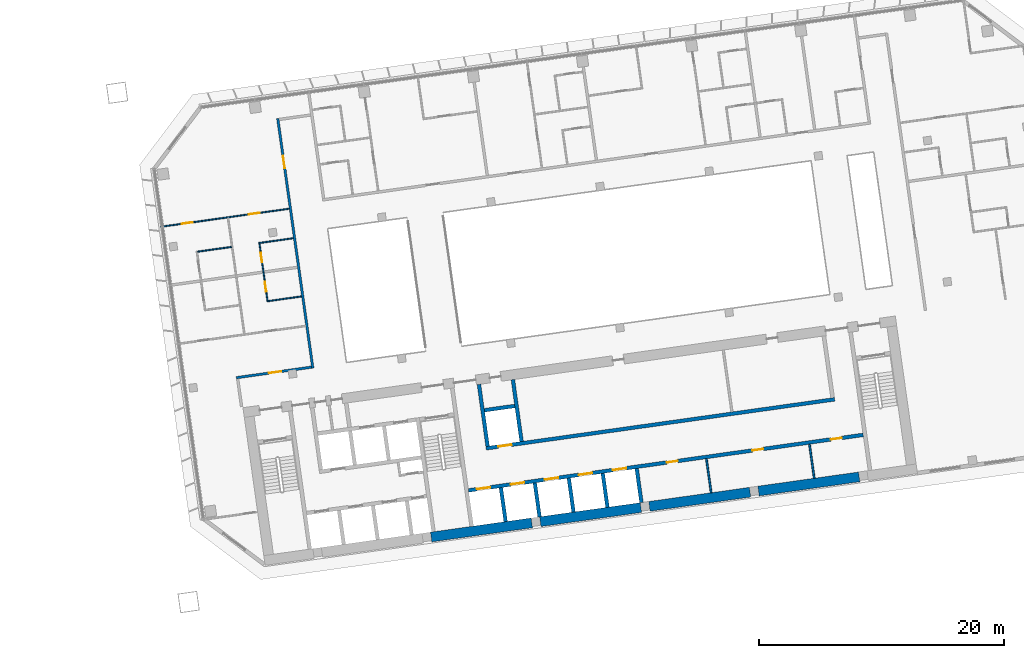
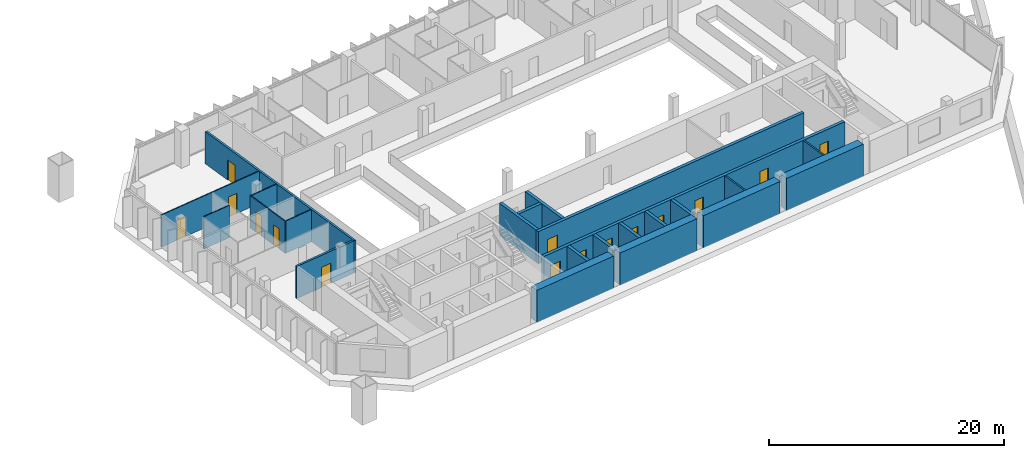
# One storey, part 27 of 33: 23 walls, 15 doors, 15 openings.
"""IFC4 building model written with IfcOpenShell, lengths in metres."""

from ifc_helpers import new_model, si_unit, direction, frame, frame_2d, origin, place, context, subcontext, project, spatial, rectangle, extrude, material, layer, layer_set, type_object, element, fill, save


model = new_model("IFC4")

# Units and contexts
model_context = context("Model", 3, precision=1e-05, world=origin(), true_north=direction((0.0, 1.0)))
body_context = subcontext(model_context, "Body", "Model", "MODEL_VIEW")
ifc_project = project(units=[si_unit("LENGTHUNIT", "METRE"), si_unit("AREAUNIT", "SQUARE_METRE"), si_unit("VOLUMEUNIT", "CUBIC_METRE"), si_unit("PLANEANGLEUNIT", "RADIAN"), si_unit("MASSUNIT", "GRAM", prefix="KILO")], contexts=[model_context])

# Site, building, storey
site_placement = place(None, origin())
site = spatial("IfcSite", under=ifc_project, at=site_placement, CompositionType="ELEMENT")
building_placement = place(site_placement, origin())
building = spatial("IfcBuilding", under=site, at=building_placement, Name="Mirante Cascada Hotel Towers", CompositionType="ELEMENT")
storey_placement = place(building_placement, frame((0.0, 0.0, 121.5)))
storey = spatial("IfcBuildingStorey", under=building, at=storey_placement, Name="L27", CompositionType="ELEMENT", Elevation=121.5)

# Wall, opening, door
ifc_material_1 = material(Name="Fire-rated plasterboard on metal studs")
ifc_layer_1 = layer(ifc_material_1, 0.2)
ifc_layer_set_1 = layer_set([ifc_layer_1], Name="Compartment wall 200 EI 120")
wall_type_1 = type_object("IfcWallType", Name="Compartment wall 200 EI 120", PredefinedType="PARTITIONING", material=ifc_layer_set_1)
wall_1_placement = place(storey_placement, frame((34.8304, -4.7545, 0.0), z_axis=(0.0, 0.0, 1.0), x_axis=(0.9902695, 0.1391629, 0.0)))
wall_1 = element("IfcWall", 1, at=wall_1_placement, inside=storey, type_object=wall_type_1, Name="Wall 2-L27-02", PredefinedType="PARTITIONING", context=body_context, shape_type="SweptSolid", body=[
    extrude(rectangle(XDim=6.1999, YDim=0.2, at=frame_2d((3.1, 0.0))), origin(), (0.0, 0.0, 1.0), 3.35),
])
opening_1_placement = place(wall_1_placement, frame((2.7, 0.0, 0.0)))
opening_1 = element("IfcOpeningElement", 2, at=opening_1_placement, cuts=wall_1, Name="Opening D2-L27-02", PredefinedType="OPENING", context=body_context, shape_type="SweptSolid", body=[
    extrude(rectangle(XDim=1.0, YDim=2.1, at=frame_2d((0.5, 1.05))), frame((0.0, 0.1, 0.0), z_axis=(0.0, -1.0, 0.0), x_axis=(1.0, 0.0, 0.0)), (0.0, 0.0, 1.0), 0.2),
])
ifc_material_2 = material(Name="Fire-rated timber door leaf", Category="wood")
door_type_1 = type_object("IfcDoorType", Name="Entrance door DG1 1000x2100 EI 60", OperationType="SINGLE_SWING_LEFT", PredefinedType="DOOR", material=ifc_material_2)
door_1_placement = place(opening_1_placement, frame((1.0, 0.0, 0.0), z_axis=(0.0, 0.0, 1.0), x_axis=(-1.0, 0.0, 0.0)))
door_1 = element("IfcDoor", 3, at=door_1_placement, inside=storey, type_object=door_type_1, Name="Door D2-L27-02", OperationType="SINGLE_SWING_RIGHT", OverallHeight=2.1, OverallWidth=1.0, PredefinedType="DOOR", context=body_context, shape_type="SweptSolid", body=[
    extrude(rectangle(XDim=1.0, YDim=2.1, at=frame_2d((0.5, 1.05))), frame((0.0, 0.025, 0.0), z_axis=(0.0, -1.0, 0.0), x_axis=(1.0, 0.0, 0.0)), (0.0, 0.0, 1.0), 0.05),
])
fill(opening_1, door_1)

wall_2_placement = place(storey_placement, frame((41.083, -3.9768, 0.0), z_axis=(0.0, 0.0, 1.0), x_axis=(-0.1391749, 0.9902678, 0.0)))
wall_2 = element("IfcWall", 4, at=wall_2_placement, inside=storey, type_object=wall_type_1, Name="Wall 2-L27-36", PredefinedType="PARTITIONING", context=body_context, shape_type="SweptSolid", body=[
    extrude(rectangle(XDim=20.6, YDim=0.2, at=frame_2d((10.3, 0.0))), origin(), (0.0, 0.0, 1.0), 3.35),
])
opening_2_placement = place(wall_2_placement, frame((16.5, 0.0, 0.0)))
opening_2 = element("IfcOpeningElement", 5, at=opening_2_placement, cuts=wall_2, Name="Opening D2-L27-27", PredefinedType="OPENING", context=body_context, shape_type="SweptSolid", body=[
    extrude(rectangle(XDim=1.0, YDim=2.1, at=frame_2d((0.5, 1.05))), frame((0.0, 0.1, 0.0), z_axis=(0.0, -1.0, 0.0), x_axis=(1.0, 0.0, 0.0)), (0.0, 0.0, 1.0), 0.2),
])
door_2_placement = place(opening_2_placement, origin())
door_2 = element("IfcDoor", 6, at=door_2_placement, inside=storey, type_object=door_type_1, Name="Door D2-L27-27", OperationType="SINGLE_SWING_LEFT", OverallHeight=2.1, OverallWidth=1.0, PredefinedType="DOOR", context=body_context, shape_type="SweptSolid", body=[
    extrude(rectangle(XDim=1.0, YDim=2.1, at=frame_2d((0.5, 1.05))), frame((0.0, 0.025, 0.0), z_axis=(0.0, -1.0, 0.0), x_axis=(1.0, 0.0, 0.0)), (0.0, 0.0, 1.0), 0.05),
])
fill(opening_2, door_2)

# Walls
ifc_material_3 = material(Name="Masonry block", Category="masonry")
ifc_layer_2 = layer(ifc_material_3, 0.15)
ifc_layer_set_2 = layer_set([ifc_layer_2], Name="Core room partition 150 block EI 30")
wall_type_2 = type_object("IfcWallType", Name="Core room partition 150 block EI 30", PredefinedType="PARTITIONING", material=ifc_layer_set_2)
wall_3_placement = place(storey_placement, frame((73.6152, -14.1482, 0.0), z_axis=(0.0, 0.0, 1.0), x_axis=(-0.139176, 0.9902677, 0.0)))
element("IfcWall", 7, at=wall_3_placement, inside=storey, type_object=wall_type_2, Name="Core wall partition T2 L27 5", PredefinedType="PARTITIONING", context=body_context, shape_type="SweptSolid", body=[
    extrude(rectangle(XDim=2.8001, YDim=0.15, at=frame_2d((1.4, 0.0))), origin(), (0.0, 0.0, 1.0), 3.35),
])
wall_4_placement = place(storey_placement, frame((82.0324, -12.9652, 0.0), z_axis=(0.0, 0.0, 1.0), x_axis=(-0.139141, 0.9902726, 0.0)))
element("IfcWall", 8, at=wall_4_placement, inside=storey, type_object=wall_type_2, Name="Core wall partition T2 L27 6", PredefinedType="PARTITIONING", context=body_context, shape_type="SweptSolid", body=[
    extrude(rectangle(XDim=2.8, YDim=0.15, at=frame_2d((1.4, 0.0))), origin(), (0.0, 0.0, 1.0), 3.35),
])
ifc_material_4 = material(Name="Plasterboard on metal studs")
ifc_layer_3 = layer(ifc_material_4, 0.1)
ifc_layer_set_3 = layer_set([ifc_layer_3], Name="Partition 100")
wall_type_3 = type_object("IfcWallType", Name="Partition 100", PredefinedType="PARTITIONING", material=ifc_layer_set_3)
wall_5_placement = place(storey_placement, frame((40.1582, 1.8849, 0.0), z_axis=(0.0, 0.0, 1.0), x_axis=(-0.9902641, -0.1392013, 0.0)))
element("IfcWall", 9, at=wall_5_placement, inside=storey, type_object=wall_type_3, Name="Wall 2-L27-07", PredefinedType="PARTITIONING", context=body_context, shape_type="SweptSolid", body=[
    extrude(rectangle(XDim=2.75, YDim=0.1, at=frame_2d((1.375, 0.0))), origin(), (0.0, 0.0, 1.0), 3.35),
])
wall_6_placement = place(storey_placement, frame((31.667, 5.5387, 0.0), z_axis=(0.0, 0.0, 1.0), x_axis=(0.9902677, 0.139176, 0.0)))
element("IfcWall", 10, at=wall_6_placement, inside=storey, type_object=wall_type_3, Name="Wall 2-L27-10", PredefinedType="PARTITIONING", context=body_context, shape_type="SweptSolid", body=[
    extrude(rectangle(XDim=2.8001, YDim=0.1, at=frame_2d((1.4, 0.0))), origin(), (0.0, 0.0, 1.0), 3.35),
])
wall_7_placement = place(storey_placement, frame((39.4902, 6.6381, 0.0), z_axis=(0.0, 0.0, 1.0), x_axis=(-0.9902698, -0.1391607, 0.0)))
element("IfcWall", 11, at=wall_7_placement, inside=storey, type_object=wall_type_3, Name="Wall 2-L27-11", PredefinedType="PARTITIONING", context=body_context, shape_type="SweptSolid", body=[
    extrude(rectangle(XDim=2.7501, YDim=0.1, at=frame_2d((1.3751, 0.0))), origin(), (0.0, 0.0, 1.0), 3.35),
])

# Wall, openings, doors
wall_8_placement = place(storey_placement, frame((28.6547, 7.5726, 0.0), z_axis=(0.0, 0.0, 1.0), x_axis=(0.9902671, 0.1391797, 0.0)))
wall_8 = element("IfcWall", 12, at=wall_8_placement, inside=storey, type_object=wall_type_3, Name="Wall 2-L27-14", PredefinedType="PARTITIONING", context=body_context, shape_type="SweptSolid", body=[
    extrude(rectangle(XDim=10.6, YDim=0.1, at=frame_2d((5.3, 0.0))), origin(), (0.0, 0.0, 1.0), 3.35),
])
opening_3_placement = place(wall_8_placement, frame((1.725, 0.0, 0.0)))
opening_3 = element("IfcOpeningElement", 13, at=opening_3_placement, cuts=wall_8, Name="Opening D2-L27-05", PredefinedType="OPENING", context=body_context, shape_type="SweptSolid", body=[
    extrude(rectangle(XDim=0.9, YDim=2.1, at=frame_2d((0.45, 1.05))), frame((0.0, 0.05, 0.0), z_axis=(0.0, -1.0, 0.0), x_axis=(1.0, 0.0, 0.0)), (0.0, 0.0, 1.0), 0.1),
])
opening_4_placement = place(wall_8_placement, frame((7.275, 0.0, 0.0)))
opening_4 = element("IfcOpeningElement", 14, at=opening_4_placement, cuts=wall_8, Name="Opening D2-L27-06", PredefinedType="OPENING", context=body_context, shape_type="SweptSolid", body=[
    extrude(rectangle(XDim=0.9, YDim=2.1, at=frame_2d((0.45, 1.05))), frame((0.0, 0.05, 0.0), z_axis=(0.0, -1.0, 0.0), x_axis=(1.0, 0.0, 0.0)), (0.0, 0.0, 1.0), 0.1),
])
ifc_material_5 = material(Name="Timber door leaf", Category="wood")
door_type_2 = type_object("IfcDoorType", Name="Room door DG3 900x2100", OperationType="SINGLE_SWING_LEFT", PredefinedType="DOOR", material=ifc_material_5)
door_3_placement = place(opening_3_placement, origin())
door_3 = element("IfcDoor", 15, at=door_3_placement, inside=storey, type_object=door_type_2, Name="Door D2-L27-05", OperationType="SINGLE_SWING_LEFT", OverallHeight=2.1, OverallWidth=0.9, PredefinedType="DOOR", context=body_context, shape_type="SweptSolid", body=[
    extrude(rectangle(XDim=0.9, YDim=2.1, at=frame_2d((0.45, 1.05))), frame((0.0, 0.025, 0.0), z_axis=(0.0, -1.0, 0.0), x_axis=(1.0, 0.0, 0.0)), (0.0, 0.0, 1.0), 0.05),
])
fill(opening_3, door_3)
door_4_placement = place(opening_4_placement, origin())
door_4 = element("IfcDoor", 16, at=door_4_placement, inside=storey, type_object=door_type_2, Name="Door D2-L27-06", OperationType="SINGLE_SWING_LEFT", OverallHeight=2.1, OverallWidth=0.9, PredefinedType="DOOR", context=body_context, shape_type="SweptSolid", body=[
    extrude(rectangle(XDim=0.9, YDim=2.1, at=frame_2d((0.45, 1.05))), frame((0.0, 0.025, 0.0), z_axis=(0.0, -1.0, 0.0), x_axis=(1.0, 0.0, 0.0)), (0.0, 0.0, 1.0), 0.05),
])
fill(opening_4, door_4)

wall_9_placement = place(storey_placement, frame((36.7105, 6.298, 0.0), z_axis=(0.0, 0.0, 1.0), x_axis=(0.1391638, -0.9902694, 0.0)))
wall_9 = element("IfcWall", 17, at=wall_9_placement, inside=storey, type_object=wall_type_3, Name="Wall 2-L27-35", PredefinedType="PARTITIONING", context=body_context, shape_type="SweptSolid", body=[
    extrude(rectangle(XDim=4.9, YDim=0.1, at=frame_2d((2.45, 0.0))), origin(), (0.0, 0.0, 1.0), 3.35),
])
opening_5_placement = place(wall_9_placement, frame((3.25, 0.0, 0.0)))
opening_5 = element("IfcOpeningElement", 18, at=opening_5_placement, cuts=wall_9, Name="Opening D2-L27-25", PredefinedType="OPENING", context=body_context, shape_type="SweptSolid", body=[
    extrude(rectangle(XDim=0.8, YDim=2.1, at=frame_2d((0.4, 1.05))), frame((0.0, 0.05, 0.0), z_axis=(0.0, -1.0, 0.0), x_axis=(1.0, 0.0, 0.0)), (0.0, 0.0, 1.0), 0.1),
])
opening_6_placement = place(wall_9_placement, frame((0.85, 0.0, 0.0)))
opening_6 = element("IfcOpeningElement", 19, at=opening_6_placement, cuts=wall_9, Name="Opening D2-L27-26", PredefinedType="OPENING", context=body_context, shape_type="SweptSolid", body=[
    extrude(rectangle(XDim=0.8, YDim=2.1, at=frame_2d((0.4, 1.05))), frame((0.0, 0.05, 0.0), z_axis=(0.0, -1.0, 0.0), x_axis=(1.0, 0.0, 0.0)), (0.0, 0.0, 1.0), 0.1),
])
ifc_material_6 = material(Name="Timber door leaf", Category="wood")
door_type_3 = type_object("IfcDoorType", Name="Bathroom door DG4 800x2100", OperationType="SINGLE_SWING_LEFT", PredefinedType="DOOR", material=ifc_material_6)
door_5_placement = place(opening_5_placement, origin())
door_5 = element("IfcDoor", 20, at=door_5_placement, inside=storey, type_object=door_type_3, Name="Door D2-L27-25", OperationType="SINGLE_SWING_LEFT", OverallHeight=2.1, OverallWidth=0.8, PredefinedType="DOOR", context=body_context, shape_type="SweptSolid", body=[
    extrude(rectangle(XDim=0.8, YDim=2.1, at=frame_2d((0.4, 1.05))), frame((0.0, 0.025, 0.0), z_axis=(0.0, -1.0, 0.0), x_axis=(1.0, 0.0, 0.0)), (0.0, 0.0, 1.0), 0.05),
])
fill(opening_5, door_5)
door_6_placement = place(opening_6_placement, origin())
door_6 = element("IfcDoor", 21, at=door_6_placement, inside=storey, type_object=door_type_3, Name="Door D2-L27-26", OperationType="SINGLE_SWING_LEFT", OverallHeight=2.1, OverallWidth=0.8, PredefinedType="DOOR", context=body_context, shape_type="SweptSolid", body=[
    extrude(rectangle(XDim=0.8, YDim=2.1, at=frame_2d((0.4, 1.05))), frame((0.0, 0.025, 0.0), z_axis=(0.0, -1.0, 0.0), x_axis=(1.0, 0.0, 0.0)), (0.0, 0.0, 1.0), 0.05),
])
fill(opening_6, door_6)

ifc_material_7 = material(Name="Concrete C50/60", Category="concrete")
ifc_layer_4 = layer(ifc_material_7, 0.3)
ifc_layer_set_4 = layer_set([ifc_layer_4], Name="RC core wall 300 C50/60")
wall_type_4 = type_object("IfcWallType", Name="RC core wall 300 C50/60", PredefinedType="SHEAR", material=ifc_layer_set_4)
wall_10_placement = place(storey_placement, frame((53.7953, -13.9547, 0.0), z_axis=(0.0, 0.0, 1.0), x_axis=(0.990268, 0.1391733, 0.0)))
wall_10 = element("IfcWall", 22, at=wall_10_placement, inside=storey, type_object=wall_type_4, Name="Core wall T2:L27:25", PredefinedType="SHEAR", context=body_context, shape_type="SweptSolid", body=[
    extrude(rectangle(XDim=32.5501, YDim=0.3, at=frame_2d((16.275, 0.0))), origin(), (0.0, 0.0, 1.0), 3.35),
])
opening_7_placement = place(wall_10_placement, frame((0.7, 0.0, 0.0)))
opening_7 = element("IfcOpeningElement", 23, at=opening_7_placement, cuts=wall_10, Name="Opening LD", PredefinedType="OPENING", context=body_context, shape_type="SweptSolid", body=[
    extrude(rectangle(XDim=1.1, YDim=2.1, at=frame_2d((0.55, 1.05))), frame((0.0, 0.15, 0.0), z_axis=(0.0, -1.0, 0.0), x_axis=(1.0, 0.0, 0.0)), (0.0, 0.0, 1.0), 0.3),
])
opening_8_placement = place(wall_10_placement, frame((3.5, 0.0, 0.0)))
opening_8 = element("IfcOpeningElement", 24, at=opening_8_placement, cuts=wall_10, Name="Opening LD", PredefinedType="OPENING", context=body_context, shape_type="SweptSolid", body=[
    extrude(rectangle(XDim=1.1, YDim=2.1, at=frame_2d((0.55, 1.05))), frame((0.0, 0.15, 0.0), z_axis=(0.0, -1.0, 0.0), x_axis=(1.0, 0.0, 0.0)), (0.0, 0.0, 1.0), 0.3),
])
opening_9_placement = place(wall_10_placement, frame((6.3, 0.0, 0.0)))
opening_9 = element("IfcOpeningElement", 25, at=opening_9_placement, cuts=wall_10, Name="Opening LD", PredefinedType="OPENING", context=body_context, shape_type="SweptSolid", body=[
    extrude(rectangle(XDim=1.1, YDim=2.1, at=frame_2d((0.55, 1.05))), frame((0.0, 0.15, 0.0), z_axis=(0.0, -1.0, 0.0), x_axis=(1.0, 0.0, 0.0)), (0.0, 0.0, 1.0), 0.3),
])
opening_10_placement = place(wall_10_placement, frame((9.1, 0.0, 0.0)))
opening_10 = element("IfcOpeningElement", 26, at=opening_10_placement, cuts=wall_10, Name="Opening LD", PredefinedType="OPENING", context=body_context, shape_type="SweptSolid", body=[
    extrude(rectangle(XDim=1.1, YDim=2.1, at=frame_2d((0.55, 1.05))), frame((0.0, 0.15, 0.0), z_axis=(0.0, -1.0, 0.0), x_axis=(1.0, 0.0, 0.0)), (0.0, 0.0, 1.0), 0.3),
])
opening_11_placement = place(wall_10_placement, frame((11.9, 0.0, 0.0)))
opening_11 = element("IfcOpeningElement", 27, at=opening_11_placement, cuts=wall_10, Name="Opening LD", PredefinedType="OPENING", context=body_context, shape_type="SweptSolid", body=[
    extrude(rectangle(XDim=1.1, YDim=2.1, at=frame_2d((0.55, 1.05))), frame((0.0, 0.15, 0.0), z_axis=(0.0, -1.0, 0.0), x_axis=(1.0, 0.0, 0.0)), (0.0, 0.0, 1.0), 0.3),
])
opening_12_placement = place(wall_10_placement, frame((16.35, 0.0, 0.0)))
opening_12 = element("IfcOpeningElement", 28, at=opening_12_placement, cuts=wall_10, Name="Opening D2-27-C26", PredefinedType="OPENING", context=body_context, shape_type="SweptSolid", body=[
    extrude(rectangle(XDim=0.9, YDim=2.1, at=frame_2d((0.45, 1.05))), frame((0.0, 0.15, 0.0), z_axis=(0.0, -1.0, 0.0), x_axis=(1.0, 0.0, 0.0)), (0.0, 0.0, 1.0), 0.3),
])
opening_13_placement = place(wall_10_placement, frame((23.4, 0.0, 0.0)))
opening_13 = element("IfcOpeningElement", 29, at=opening_13_placement, cuts=wall_10, Name="Opening D2-27-C27", PredefinedType="OPENING", context=body_context, shape_type="SweptSolid", body=[
    extrude(rectangle(XDim=0.9, YDim=2.1, at=frame_2d((0.45, 1.05))), frame((0.0, 0.15, 0.0), z_axis=(0.0, -1.0, 0.0), x_axis=(1.0, 0.0, 0.0)), (0.0, 0.0, 1.0), 0.3),
])
opening_14_placement = place(wall_10_placement, frame((29.875, 0.0, 0.0)))
opening_14 = element("IfcOpeningElement", 30, at=opening_14_placement, cuts=wall_10, Name="Opening D2-27-C28", PredefinedType="OPENING", context=body_context, shape_type="SweptSolid", body=[
    extrude(rectangle(XDim=0.9, YDim=2.1, at=frame_2d((0.45, 1.05))), frame((0.0, 0.15, 0.0), z_axis=(0.0, -1.0, 0.0), x_axis=(1.0, 0.0, 0.0)), (0.0, 0.0, 1.0), 0.3),
])
ifc_material_8 = material(Name="Hollow metal fire door leaf")
door_type_4 = type_object("IfcDoorType", Name="Fire door 900x2100 FD60", OperationType="NOTDEFINED", PredefinedType="DOOR", material=ifc_material_8)
door_7_placement = place(opening_12_placement, frame((0.9, 0.0, 0.0), z_axis=(0.0, 0.0, 1.0), x_axis=(-1.0, 0.0, 0.0)))
door_7 = element("IfcDoor", 31, at=door_7_placement, inside=storey, type_object=door_type_4, Name="Room door T2 L27 26", OperationType="SINGLE_SWING_LEFT", OverallHeight=2.1, OverallWidth=0.9, PredefinedType="DOOR", context=body_context, shape_type="SweptSolid", body=[
    extrude(rectangle(XDim=0.9, YDim=2.1, at=frame_2d((0.45, 1.05))), frame((0.0, 0.025, 0.0), z_axis=(0.0, -1.0, 0.0), x_axis=(1.0, 0.0, 0.0)), (0.0, 0.0, 1.0), 0.05),
])
fill(opening_12, door_7)
door_8_placement = place(opening_13_placement, frame((0.9, 0.0, 0.0), z_axis=(0.0, 0.0, 1.0), x_axis=(-1.0, 0.0, 0.0)))
door_8 = element("IfcDoor", 32, at=door_8_placement, inside=storey, type_object=door_type_4, Name="Room door T2 L27 27", OperationType="SINGLE_SWING_RIGHT", OverallHeight=2.1, OverallWidth=0.9, PredefinedType="DOOR", context=body_context, shape_type="SweptSolid", body=[
    extrude(rectangle(XDim=0.9, YDim=2.1, at=frame_2d((0.45, 1.05))), frame((0.0, 0.025, 0.0), z_axis=(0.0, -1.0, 0.0), x_axis=(1.0, 0.0, 0.0)), (0.0, 0.0, 1.0), 0.05),
])
fill(opening_13, door_8)
door_9_placement = place(opening_14_placement, frame((0.9, 0.0, 0.0), z_axis=(0.0, 0.0, 1.0), x_axis=(-1.0, 0.0, 0.0)))
door_9 = element("IfcDoor", 33, at=door_9_placement, inside=storey, type_object=door_type_4, Name="Room door T2 L27 28", OperationType="SINGLE_SWING_RIGHT", OverallHeight=2.1, OverallWidth=0.9, PredefinedType="DOOR", context=body_context, shape_type="SweptSolid", body=[
    extrude(rectangle(XDim=0.9, YDim=2.1, at=frame_2d((0.45, 1.05))), frame((0.0, 0.025, 0.0), z_axis=(0.0, -1.0, 0.0), x_axis=(1.0, 0.0, 0.0)), (0.0, 0.0, 1.0), 0.05),
])
fill(opening_14, door_9)
ifc_material_9 = material(Name="Stainless steel", Category="steel")
door_type_5 = type_object("IfcDoorType", Name="Lift landing door 1100x2100 EI 120", OperationType="DOUBLE_DOOR_SLIDING", PredefinedType="DOOR", material=ifc_material_9)
door_10_placement = place(opening_7_placement, origin())
door_10 = element("IfcDoor", 34, at=door_10_placement, inside=storey, type_object=door_type_5, Name="Lift landing door LR2-1 L27", OperationType="DOUBLE_DOOR_SLIDING", OverallHeight=2.1, OverallWidth=1.1, PredefinedType="DOOR", context=body_context, shape_type="SweptSolid", body=[
    extrude(rectangle(XDim=0.545, YDim=2.1, at=frame_2d((0.2725, 1.05))), frame((0.0, 0.025, 0.0), z_axis=(0.0, -1.0, 0.0), x_axis=(1.0, 0.0, 0.0)), (0.0, 0.0, 1.0), 0.05),
    extrude(rectangle(XDim=0.545, YDim=2.1, at=frame_2d((0.8275, 1.05))), frame((0.0, 0.025, 0.0), z_axis=(0.0, -1.0, 0.0), x_axis=(1.0, 0.0, 0.0)), (0.0, 0.0, 1.0), 0.05),
])
fill(opening_7, door_10)
door_11_placement = place(opening_8_placement, origin())
door_11 = element("IfcDoor", 35, at=door_11_placement, inside=storey, type_object=door_type_5, Name="Lift landing door LR2-2 L27", OperationType="DOUBLE_DOOR_SLIDING", OverallHeight=2.1, OverallWidth=1.1, PredefinedType="DOOR", context=body_context, shape_type="SweptSolid", body=[
    extrude(rectangle(XDim=0.545, YDim=2.1, at=frame_2d((0.2725, 1.05))), frame((0.0, 0.025, 0.0), z_axis=(0.0, -1.0, 0.0), x_axis=(1.0, 0.0, 0.0)), (0.0, 0.0, 1.0), 0.05),
    extrude(rectangle(XDim=0.545, YDim=2.1, at=frame_2d((0.8275, 1.05))), frame((0.0, 0.025, 0.0), z_axis=(0.0, -1.0, 0.0), x_axis=(1.0, 0.0, 0.0)), (0.0, 0.0, 1.0), 0.05),
])
fill(opening_8, door_11)
door_12_placement = place(opening_9_placement, origin())
door_12 = element("IfcDoor", 36, at=door_12_placement, inside=storey, type_object=door_type_5, Name="Lift landing door SV2-1 L27", OperationType="DOUBLE_DOOR_SLIDING", OverallHeight=2.1, OverallWidth=1.1, PredefinedType="DOOR", context=body_context, shape_type="SweptSolid", body=[
    extrude(rectangle(XDim=0.545, YDim=2.1, at=frame_2d((0.2725, 1.05))), frame((0.0, 0.025, 0.0), z_axis=(0.0, -1.0, 0.0), x_axis=(1.0, 0.0, 0.0)), (0.0, 0.0, 1.0), 0.05),
    extrude(rectangle(XDim=0.545, YDim=2.1, at=frame_2d((0.8275, 1.05))), frame((0.0, 0.025, 0.0), z_axis=(0.0, -1.0, 0.0), x_axis=(1.0, 0.0, 0.0)), (0.0, 0.0, 1.0), 0.05),
])
fill(opening_9, door_12)
door_13_placement = place(opening_10_placement, origin())
door_13 = element("IfcDoor", 37, at=door_13_placement, inside=storey, type_object=door_type_5, Name="Lift landing door SV2-2 L27", OperationType="DOUBLE_DOOR_SLIDING", OverallHeight=2.1, OverallWidth=1.1, PredefinedType="DOOR", context=body_context, shape_type="SweptSolid", body=[
    extrude(rectangle(XDim=0.545, YDim=2.1, at=frame_2d((0.2725, 1.05))), frame((0.0, 0.025, 0.0), z_axis=(0.0, -1.0, 0.0), x_axis=(1.0, 0.0, 0.0)), (0.0, 0.0, 1.0), 0.05),
    extrude(rectangle(XDim=0.545, YDim=2.1, at=frame_2d((0.8275, 1.05))), frame((0.0, 0.025, 0.0), z_axis=(0.0, -1.0, 0.0), x_axis=(1.0, 0.0, 0.0)), (0.0, 0.0, 1.0), 0.05),
])
fill(opening_10, door_13)
door_14_placement = place(opening_11_placement, origin())
door_14 = element("IfcDoor", 38, at=door_14_placement, inside=storey, type_object=door_type_5, Name="Lift landing door SV2-3 L27", OperationType="DOUBLE_DOOR_SLIDING", OverallHeight=2.1, OverallWidth=1.1, PredefinedType="DOOR", context=body_context, shape_type="SweptSolid", body=[
    extrude(rectangle(XDim=0.545, YDim=2.1, at=frame_2d((0.2725, 1.05))), frame((0.0, 0.025, 0.0), z_axis=(0.0, -1.0, 0.0), x_axis=(1.0, 0.0, 0.0)), (0.0, 0.0, 1.0), 0.05),
    extrude(rectangle(XDim=0.545, YDim=2.1, at=frame_2d((0.8275, 1.05))), frame((0.0, 0.025, 0.0), z_axis=(0.0, -1.0, 0.0), x_axis=(1.0, 0.0, 0.0)), (0.0, 0.0, 1.0), 0.05),
])
fill(opening_11, door_14)

# Walls
for number, where, z_axis, x_axis, name in (
    (39, (56.8301, -16.5072, 0.0), (0.0, 0.0, 1.0), (-0.139176, 0.9902677, 0.0), "Core wall T2:L27:26"),
    (40, (59.6029, -16.1175, 0.0), (0.0, 0.0, 1.0), (-0.139176, 0.9902677, 0.0), "Core wall T2:L27:27"),
    (41, (62.3756, -15.7278, 0.0), (0.0, 0.0, 1.0), (-0.139176, 0.9902677, 0.0), "Core wall T2:L27:28"),
    (42, (65.1484, -15.3381, 0.0), (0.0, 0.0, 1.0), (-0.139176, 0.9902677, 0.0), "Core wall T2:L27:29"),
):
    element("IfcWall", number, at=place(storey_placement, frame(where, z_axis=z_axis, x_axis=x_axis)), inside=storey, type_object=wall_type_4, Name=name, PredefinedType="SHEAR", context=body_context, shape_type="SweptSolid", body=[
        extrude(rectangle(XDim=2.8001, YDim=0.3, at=frame_2d((1.4, 0.0))), origin(), (0.0, 0.0, 1.0), 3.35),
    ])
wall_11_placement = place(storey_placement, frame((67.9211, -14.9484, 0.0), z_axis=(0.0, 0.0, 1.0), x_axis=(-0.139181, 0.990267, 0.0)))
element("IfcWall", 43, at=wall_11_placement, inside=storey, type_object=wall_type_4, Name="Core wall T2:L27:30", PredefinedType="SHEAR", context=body_context, shape_type="SweptSolid", body=[
    extrude(rectangle(XDim=2.8, YDim=0.3, at=frame_2d((1.4, 0.0))), origin(), (0.0, 0.0, 1.0), 3.35),
])

# Wall, opening, door
wall_12_placement = place(storey_placement, frame((55.2315, -10.5214, 0.0), z_axis=(0.0, 0.0, 1.0), x_axis=(0.9902682, 0.1391722, 0.0)))
wall_12 = element("IfcWall", 44, at=wall_12_placement, inside=storey, type_object=wall_type_4, Name="Core wall T2:L27:33", PredefinedType="SHEAR", context=body_context, shape_type="SweptSolid", body=[
    extrude(rectangle(XDim=28.75, YDim=0.3, at=frame_2d((14.375, 0.0))), origin(), (0.0, 0.0, 1.0), 3.35),
])
opening_15_placement = place(wall_12_placement, frame((1.0, 0.0, 0.0)))
opening_15 = element("IfcOpeningElement", 45, at=opening_15_placement, cuts=wall_12, Name="Opening LD", PredefinedType="OPENING", context=body_context, shape_type="SweptSolid", body=[
    extrude(rectangle(XDim=1.1, YDim=2.1, at=frame_2d((0.55, 1.05))), frame((0.0, 0.15, 0.0), z_axis=(0.0, -1.0, 0.0), x_axis=(1.0, 0.0, 0.0)), (0.0, 0.0, 1.0), 0.3),
])
door_15_placement = place(opening_15_placement, origin())
door_15 = element("IfcDoor", 46, at=door_15_placement, inside=storey, type_object=door_type_5, Name="Lift landing door LR2-3 L27", OperationType="DOUBLE_DOOR_SLIDING", OverallHeight=2.1, OverallWidth=1.1, PredefinedType="DOOR", context=body_context, shape_type="SweptSolid", body=[
    extrude(rectangle(XDim=0.545, YDim=2.1, at=frame_2d((0.2725, 1.05))), frame((0.0, 0.025, 0.0), z_axis=(0.0, -1.0, 0.0), x_axis=(1.0, 0.0, 0.0)), (0.0, 0.0, 1.0), 0.05),
    extrude(rectangle(XDim=0.545, YDim=2.1, at=frame_2d((0.8275, 1.05))), frame((0.0, 0.025, 0.0), z_axis=(0.0, -1.0, 0.0), x_axis=(1.0, 0.0, 0.0)), (0.0, 0.0, 1.0), 0.05),
])
fill(opening_15, door_15)

# Walls
for number, where, z_axis, x_axis, name in (
    (47, (55.3592, -10.352, 0.0), (0.0, 0.0, 1.0), (-0.1391755, 0.9902677, 0.0), "Core wall T2:L27:34"),
    (48, (58.1319, -9.9623, 0.0), (0.0, 0.0, 1.0), (-0.1391755, 0.9902677, 0.0), "Core wall T2:L27:36"),
):
    element("IfcWall", number, at=place(storey_placement, frame(where, z_axis=z_axis, x_axis=x_axis)), inside=storey, type_object=wall_type_4, Name=name, PredefinedType="SHEAR", context=body_context, shape_type="SweptSolid", body=[
        extrude(rectangle(XDim=5.1, YDim=0.3, at=frame_2d((2.55, 0.0))), origin(), (0.0, 0.0, 1.0), 3.35),
    ])
wall_13_placement = place(storey_placement, frame((55.0971, -7.4098, 0.0), z_axis=(0.0, 0.0, 1.0), x_axis=(0.9902701, 0.1391586, 0.0)))
element("IfcWall", 49, at=wall_13_placement, inside=storey, type_object=wall_type_4, Name="Core wall T2:L27:37", PredefinedType="SHEAR", context=body_context, shape_type="SweptSolid", body=[
    extrude(rectangle(XDim=2.5, YDim=0.3, at=frame_2d((1.25, 0.0))), origin(), (0.0, 0.0, 1.0), 3.35),
])
ifc_material_10 = material(Name="Concrete C50/60", Category="concrete")
ifc_layer_5 = layer(ifc_material_10, 0.8)
ifc_layer_set_5 = layer_set([ifc_layer_5], Name="RC core wall 800 C50/60")
wall_type_5 = type_object("IfcWallType", Name="RC core wall 800 C50/60", PredefinedType="SHEAR", material=ifc_layer_set_5)
wall_14_placement = place(storey_placement, frame((50.7461, -17.7661, 0.0), z_axis=(0.0, 0.0, 1.0), x_axis=(0.9902686, 0.1391692, 0.0)))
element("IfcWall", 50, at=wall_14_placement, inside=storey, type_object=wall_type_5, Name="Core wall T2:L27:1.3", PredefinedType="SHEAR", context=body_context, shape_type="SweptSolid", body=[
    extrude(rectangle(XDim=8.3, YDim=0.8, at=frame_2d((4.15, 0.0))), origin(), (0.0, 0.0, 1.0), 3.35),
])
for number, where, z_axis, x_axis, name in (
    (51, (59.6585, -16.5136, 0.0), (0.0, 0.0, 1.0), (0.9902672, 0.1391793, 0.0), "Core wall T2:L27:1.4"),
    (52, (68.5709, -15.261, 0.0), (0.0, 0.0, 1.0), (0.9902689, 0.1391675, 0.0), "Core wall T2:L27:1.5"),
):
    element("IfcWall", number, at=place(storey_placement, frame(where, z_axis=z_axis, x_axis=x_axis)), inside=storey, type_object=wall_type_5, Name=name, PredefinedType="SHEAR", context=body_context, shape_type="SweptSolid", body=[
        extrude(rectangle(XDim=8.3001, YDim=0.8, at=frame_2d((4.15, 0.0))), origin(), (0.0, 0.0, 1.0), 3.35),
    ])
wall_15_placement = place(storey_placement, frame((77.4834, -14.0085, 0.0), z_axis=(0.0, 0.0, 1.0), x_axis=(0.990267, 0.139181, 0.0)))
element("IfcWall", 53, at=wall_15_placement, inside=storey, type_object=wall_type_5, Name="Core wall T2:L27:1.6", PredefinedType="SHEAR", context=body_context, shape_type="SweptSolid", body=[
    extrude(rectangle(XDim=8.3, YDim=0.8, at=frame_2d((4.15, 0.0))), origin(), (0.0, 0.0, 1.0), 3.35),
])

save(model, "model.ifc")
